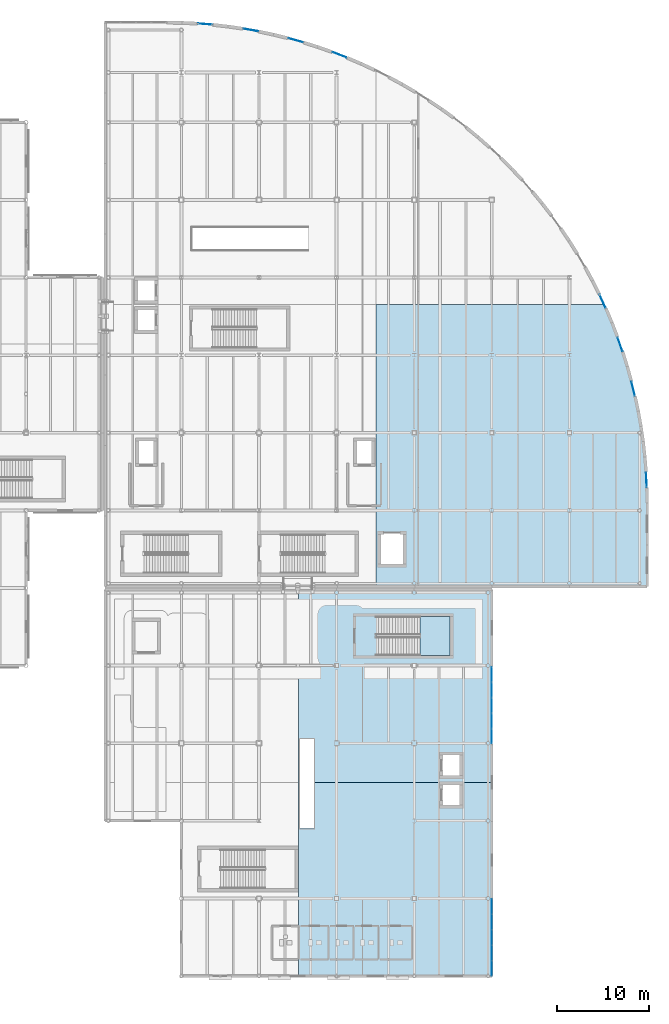
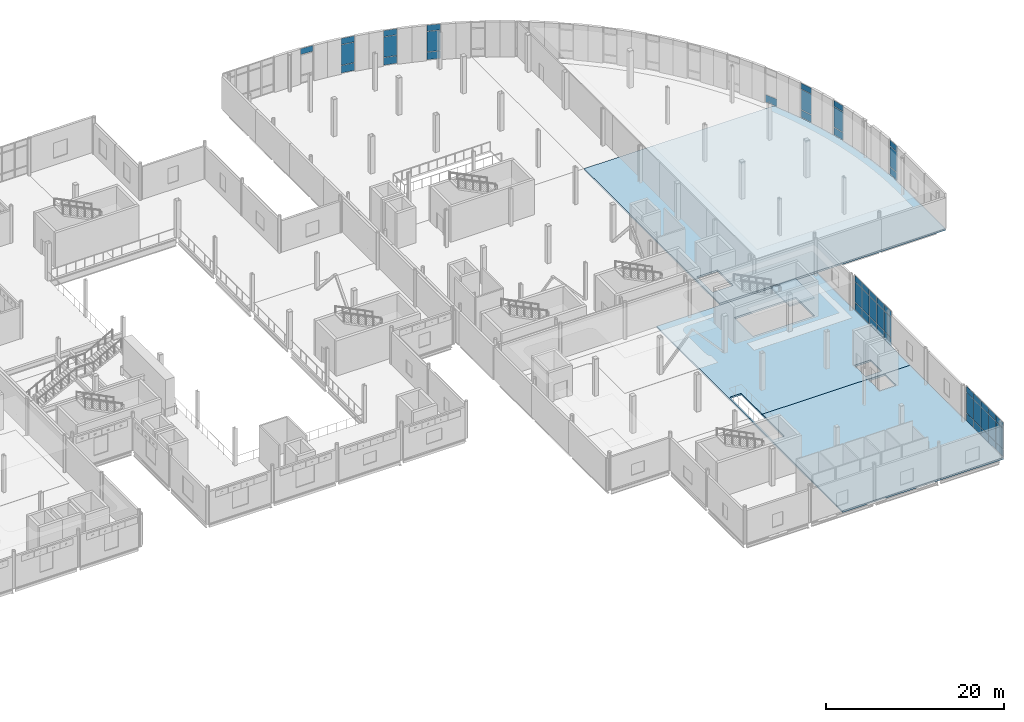
# One storey, part 63 of 104: 50 plates, 4 slabs, 11 elements without a shape of their own.
"""IFC4 building model written with IfcOpenShell, lengths in metres."""

from ifc_helpers import new_model, si_unit, direction, frame, origin, origin_2d, place, context, subcontext, project, spatial, polyline, rectangle, outline, extrude, material, layer, layer_set, type_object, element, aggregate, save


model = new_model("IFC4")

# Units and contexts
model_context = context("Model", 3, precision=1e-05, world=origin(), true_north=direction((0.0, 1.0)))
body_context = subcontext(model_context, "Body", "Model", "MODEL_VIEW")
ifc_project = project(units=[si_unit("LENGTHUNIT", "METRE"), si_unit("AREAUNIT", "SQUARE_METRE"), si_unit("VOLUMEUNIT", "CUBIC_METRE"), si_unit("PLANEANGLEUNIT", "RADIAN"), si_unit("MASSUNIT", "GRAM", prefix="KILO"), si_unit("THERMODYNAMICTEMPERATUREUNIT", "KELVIN")], contexts=[model_context])

# Site, building, storey
site_placement = place(None, origin())
site = spatial("IfcSite", under=ifc_project, at=site_placement, CompositionType="ELEMENT")
building_placement = place(site_placement, origin())
building = spatial("IfcBuilding", under=site, at=building_placement, Name="Lustrewick Department Store", CompositionType="ELEMENT")
storey_placement = place(building_placement, frame((0.0, 0.0, 11.39990234375)))
storey = spatial("IfcBuildingStorey", under=building, at=storey_placement, Name="L03", CompositionType="ELEMENT", Elevation=11.39990234375)

# Curtain wall, plates
ifc_material_1 = material(Name="Thermally broken aluminium 6063-T5", Category="aluminium")
ifc_layer_1 = layer(ifc_material_1, 0.179931640625, Name="Thermally broken aluminium 6063-T5")
ifc_layer_set_1 = layer_set([ifc_layer_1], Name="Thermally broken aluminium 6063-T5")
curtain_wall_type_1 = type_object("IfcCurtainWallType", Name="CW11", PredefinedType="NOTDEFINED", material=ifc_layer_set_1)
curtain_wall_1_placement = place(storey_placement, origin())
curtain_wall_1 = element("IfcCurtainWall", 1, at=curtain_wall_1_placement, inside=storey, type_object=curtain_wall_type_1, Name="L03 V4 Curtain Wall CW11", PredefinedType="NOTDEFINED")
ifc_material_2 = material(Name="Low-E laminated safety glass", Category="glass")
ifc_layer_2 = layer(ifc_material_2, 0.02392578125, Name="Low-E laminated safety glass")
ifc_layer_set_2 = layer_set([ifc_layer_2], Name="Low-E laminated safety glass")
plate_type_1 = type_object("IfcPlateType", Name="CP01", PredefinedType="CURTAIN_PANEL", material=ifc_layer_set_2)
plate_1_placement = place(storey_placement, frame((167.933349609375, 62.09912109375, 0.065185546875), z_axis=(0.0, 0.0, 1.0), x_axis=(-0.048052534093, 0.998844809751, 0.0)))
plate_1 = element("IfcPlate", 2, at=plate_1_placement, type_object=plate_type_1, Name="CW11 panel 1.1", PredefinedType="CURTAIN_PANEL", context=body_context, shape_type="SweptSolid", body=[
    extrude(rectangle(XDim=1.536865234375, YDim=0.02392578125, at=origin_2d()), origin(), (0.0, 0.0, 1.0), 1.00244140625),
])
plate_2_placement = place(storey_placement, frame((167.933349609375, 62.09912109375, 1.1328125), z_axis=(0.0, 0.0, 1.0), x_axis=(-0.048052534093, 0.998844809751, 0.0)))
plate_2 = element("IfcPlate", 3, at=plate_2_placement, type_object=plate_type_1, Name="CW11 panel 1.2", PredefinedType="CURTAIN_PANEL", context=body_context, shape_type="SweptSolid", body=[
    extrude(rectangle(XDim=1.536865234375, YDim=0.02392578125, at=origin_2d()), origin(), (0.0, 0.0, 1.0), 2.780029296875),
])
plate_3_placement = place(storey_placement, frame((167.933349609375, 62.09912109375, 3.9775390625), z_axis=(0.0, 0.0, 1.0), x_axis=(-0.048052534093, 0.998844809751, 0.0)))
plate_3 = element("IfcPlate", 4, at=plate_3_placement, type_object=plate_type_1, Name="CW11 panel 1.3", PredefinedType="CURTAIN_PANEL", context=body_context, shape_type="SweptSolid", body=[
    extrude(rectangle(XDim=1.536865234375, YDim=0.02392578125, at=origin_2d()), origin(), (0.0, 0.0, 1.0), 0.802490234375),
])
aggregate(curtain_wall_1, [plate_1, plate_2, plate_3])

ifc_layer_3 = layer(ifc_material_1, 0.169921875, Name="Thermally broken aluminium 6063-T5")
ifc_layer_set_3 = layer_set([ifc_layer_3], Name="Thermally broken aluminium 6063-T5")
curtain_wall_type_2 = type_object("IfcCurtainWallType", Name="CW12", PredefinedType="NOTDEFINED", material=ifc_layer_set_3)
curtain_wall_2_placement = place(storey_placement, origin())
curtain_wall_2 = element("IfcCurtainWall", 5, at=curtain_wall_2_placement, inside=storey, type_object=curtain_wall_type_2, Name="L03 V4 Curtain Wall CW12", PredefinedType="NOTDEFINED")
ifc_layer_4 = layer(ifc_material_2, 0.02587890625, Name="Low-E laminated safety glass")
ifc_layer_set_4 = layer_set([ifc_layer_4], Name="Low-E laminated safety glass")
plate_type_2 = type_object("IfcPlateType", Name="CP02", PredefinedType="CURTAIN_PANEL", material=ifc_layer_set_4)
plate_4_placement = place(storey_placement, frame((166.497802734375, 71.98046875, 0.065185546875), z_axis=(0.0, 0.0, 1.0), x_axis=(-0.238171345478, 0.971223151595, 0.0)))
plate_4 = element("IfcPlate", 6, at=plate_4_placement, type_object=plate_type_2, Name="CW12 panel 1.1", PredefinedType="CURTAIN_PANEL", context=body_context, shape_type="SweptSolid", body=[
    extrude(rectangle(XDim=1.536865234375, YDim=0.02587890625, at=origin_2d()), origin(), (0.0, 0.0, 1.0), 1.00244140625),
])
plate_5_placement = place(storey_placement, frame((166.497802734375, 71.98046875, 1.1328125), z_axis=(0.0, 0.0, 1.0), x_axis=(-0.238171345478, 0.971223151595, 0.0)))
plate_5 = element("IfcPlate", 7, at=plate_5_placement, type_object=plate_type_2, Name="CW12 panel 1.2", PredefinedType="CURTAIN_PANEL", context=body_context, shape_type="SweptSolid", body=[
    extrude(rectangle(XDim=1.536865234375, YDim=0.02587890625, at=origin_2d()), origin(), (0.0, 0.0, 1.0), 2.780029296875),
])
plate_6_placement = place(storey_placement, frame((166.497802734375, 71.98046875, 3.9775390625), z_axis=(0.0, 0.0, 1.0), x_axis=(-0.238171345478, 0.971223151595, 0.0)))
plate_6 = element("IfcPlate", 8, at=plate_6_placement, type_object=plate_type_2, Name="CW12 panel 1.3", PredefinedType="CURTAIN_PANEL", context=body_context, shape_type="SweptSolid", body=[
    extrude(rectangle(XDim=1.536865234375, YDim=0.02587890625, at=origin_2d()), origin(), (0.0, 0.0, 1.0), 0.802490234375),
])
aggregate(curtain_wall_2, [plate_4, plate_5, plate_6])

ifc_layer_5 = layer(ifc_material_1, 0.1298828125, Name="Thermally broken aluminium 6063-T5")
ifc_layer_set_5 = layer_set([ifc_layer_5], Name="Thermally broken aluminium 6063-T5")
curtain_wall_type_3 = type_object("IfcCurtainWallType", Name="CW07", PredefinedType="NOTDEFINED", material=ifc_layer_set_5)
curtain_wall_3_placement = place(storey_placement, origin())
curtain_wall_3 = element("IfcCurtainWall", 9, at=curtain_wall_3_placement, inside=storey, type_object=curtain_wall_type_3, Name="L03 V4 Curtain Wall CW07", PredefinedType="NOTDEFINED")
plate_7_placement = place(storey_placement, frame((134.736328125, 108.10009765625, 0.05517578125), z_axis=(0.0, 0.0, 1.0), x_axis=(-0.932809593004, 0.360369620251, 0.0)))
plate_7 = element("IfcPlate", 10, at=plate_7_placement, type_object=plate_type_2, Name="CW07 panel 1.1", PredefinedType="CURTAIN_PANEL", context=body_context, shape_type="SweptSolid", body=[
    extrude(rectangle(XDim=1.556884765625, YDim=0.02587890625, at=origin_2d()), origin(), (0.0, 0.0, 1.0), 1.017578125),
])
plate_8_placement = place(storey_placement, frame((134.736328125, 108.10009765625, 1.127685546875), z_axis=(0.0, 0.0, 1.0), x_axis=(-0.932809593004, 0.360369620251, 0.0)))
plate_8 = element("IfcPlate", 11, at=plate_8_placement, type_object=plate_type_2, Name="CW07 panel 1.2", PredefinedType="CURTAIN_PANEL", context=body_context, shape_type="SweptSolid", body=[
    extrude(rectangle(XDim=1.556884765625, YDim=0.02587890625, at=origin_2d()), origin(), (0.0, 0.0, 1.0), 2.7900390625),
])
plate_9_placement = place(storey_placement, frame((134.736328125, 108.10009765625, 3.97265625), z_axis=(0.0, 0.0, 1.0), x_axis=(-0.932809593004, 0.360369620251, 0.0)))
plate_9 = element("IfcPlate", 12, at=plate_9_placement, type_object=plate_type_2, Name="CW07 panel 1.3", PredefinedType="CURTAIN_PANEL", context=body_context, shape_type="SweptSolid", body=[
    extrude(rectangle(XDim=1.556884765625, YDim=0.02587890625, at=origin_2d()), origin(), (0.0, 0.0, 1.0), 0.8173828125),
])
aggregate(curtain_wall_3, [plate_7, plate_8, plate_9])

ifc_layer_6 = layer(ifc_material_1, 0.159912109375, Name="Thermally broken aluminium 6063-T5")
ifc_layer_set_6 = layer_set([ifc_layer_6], Name="Thermally broken aluminium 6063-T5")
curtain_wall_type_4 = type_object("IfcCurtainWallType", Name="CW13", PredefinedType="NOTDEFINED", material=ifc_layer_set_6)
curtain_wall_4_placement = place(storey_placement, origin())
curtain_wall_4 = element("IfcCurtainWall", 13, at=curtain_wall_4_placement, inside=storey, type_object=curtain_wall_type_4, Name="L03 V4 Curtain Wall CW13", PredefinedType="NOTDEFINED")
ifc_layer_7 = layer(ifc_material_2, 0.028076171875, Name="Low-E laminated safety glass")
ifc_layer_set_7 = layer_set([ifc_layer_7], Name="Low-E laminated safety glass")
plate_type_3 = type_object("IfcPlateType", Name="CP03", PredefinedType="CURTAIN_PANEL", material=ifc_layer_set_7)
plate_10_placement = place(storey_placement, frame((165.07568359375, 76.772216796875, 0.06005859375), z_axis=(0.0, 0.0, 1.0), x_axis=(-0.330248879516, 0.943893891059, 0.0)))
plate_10 = element("IfcPlate", 14, at=plate_10_placement, type_object=plate_type_3, Name="CW13 panel 1.1", PredefinedType="CURTAIN_PANEL", context=body_context, shape_type="SweptSolid", body=[
    extrude(rectangle(XDim=1.546875, YDim=0.028076171875, at=origin_2d()), origin(), (0.0, 0.0, 1.0), 1.010009765625),
])
plate_11_placement = place(storey_placement, frame((165.07568359375, 76.772216796875, 1.13037109375), z_axis=(0.0, 0.0, 1.0), x_axis=(-0.330248879516, 0.943893891059, 0.0)))
plate_11 = element("IfcPlate", 15, at=plate_11_placement, type_object=plate_type_3, Name="CW13 panel 1.2", PredefinedType="CURTAIN_PANEL", context=body_context, shape_type="SweptSolid", body=[
    extrude(rectangle(XDim=1.546875, YDim=0.028076171875, at=origin_2d()), origin(), (0.0, 0.0, 1.0), 2.784912109375),
])
plate_12_placement = place(storey_placement, frame((165.07568359375, 76.772216796875, 3.97509765625), z_axis=(0.0, 0.0, 1.0), x_axis=(-0.330248879516, 0.943893891059, 0.0)))
plate_12 = element("IfcPlate", 16, at=plate_12_placement, type_object=plate_type_3, Name="CW13 panel 1.3", PredefinedType="CURTAIN_PANEL", context=body_context, shape_type="SweptSolid", body=[
    extrude(rectangle(XDim=1.546875, YDim=0.028076171875, at=origin_2d()), origin(), (0.0, 0.0, 1.0), 0.81005859375),
])
aggregate(curtain_wall_4, [plate_10, plate_11, plate_12])

ifc_layer_8 = layer(ifc_material_1, 0.1201171875, Name="Thermally broken aluminium 6063-T5")
ifc_layer_set_8 = layer_set([ifc_layer_8], Name="Thermally broken aluminium 6063-T5")
curtain_wall_type_5 = type_object("IfcCurtainWallType", Name="CW08", PredefinedType="NOTDEFINED", material=ifc_layer_set_8)
curtain_wall_5_placement = place(storey_placement, origin())
curtain_wall_5 = element("IfcCurtainWall", 17, at=curtain_wall_5_placement, inside=storey, type_object=curtain_wall_type_5, Name="L03 V4 Curtain Wall CW08", PredefinedType="NOTDEFINED")
plate_13_placement = place(storey_placement, frame((129.99267578125, 109.675048828125, 0.050048828125), z_axis=(0.0, 0.0, 1.0), x_axis=(-0.963105943443, 0.269122540313, 0.0)))
plate_13 = element("IfcPlate", 18, at=plate_13_placement, type_object=plate_type_3, Name="CW08 panel 1.1", PredefinedType="CURTAIN_PANEL", context=body_context, shape_type="SweptSolid", body=[
    extrude(rectangle(XDim=1.56689453125, YDim=0.028076171875, at=origin_2d()), origin(), (0.0, 0.0, 1.0), 1.02490234375),
])
plate_14_placement = place(storey_placement, frame((129.99267578125, 109.675048828125, 1.125244140625), z_axis=(0.0, 0.0, 1.0), x_axis=(-0.963105943443, 0.269122540313, 0.0)))
plate_14 = element("IfcPlate", 19, at=plate_14_placement, type_object=plate_type_3, Name="CW08 panel 1.2", PredefinedType="CURTAIN_PANEL", context=body_context, shape_type="SweptSolid", body=[
    extrude(rectangle(XDim=1.56689453125, YDim=0.028076171875, at=origin_2d()), origin(), (0.0, 0.0, 1.0), 2.794921875),
])
plate_15_placement = place(storey_placement, frame((129.99267578125, 109.675048828125, 3.97021484375), z_axis=(0.0, 0.0, 1.0), x_axis=(-0.963105943443, 0.269122540313, 0.0)))
plate_15 = element("IfcPlate", 20, at=plate_15_placement, type_object=plate_type_3, Name="CW08 panel 1.3", PredefinedType="CURTAIN_PANEL", context=body_context, shape_type="SweptSolid", body=[
    extrude(rectangle(XDim=1.56689453125, YDim=0.028076171875, at=origin_2d()), origin(), (0.0, 0.0, 1.0), 0.824951171875),
])
aggregate(curtain_wall_5, [plate_13, plate_14, plate_15])

ifc_layer_9 = layer(ifc_material_1, 0.110107421875, Name="Thermally broken aluminium 6063-T5")
ifc_layer_set_9 = layer_set([ifc_layer_9], Name="Thermally broken aluminium 6063-T5")
curtain_wall_type_6 = type_object("IfcCurtainWallType", Name="CW09", PredefinedType="NOTDEFINED", material=ifc_layer_set_9)
curtain_wall_6_placement = place(storey_placement, origin())
curtain_wall_6 = element("IfcCurtainWall", 21, at=curtain_wall_6_placement, inside=storey, type_object=curtain_wall_type_6, Name="L03 V3 Curtain Wall CW09", PredefinedType="NOTDEFINED")
ifc_material_3 = material(Name="Tinted ceramic spandrel safety glass", Category="glass")
ifc_layer_10 = layer(ifc_material_3, 0.030029296875, Name="Tinted ceramic spandrel safety glass")
ifc_layer_set_10 = layer_set([ifc_layer_10], Name="Tinted ceramic spandrel safety glass")
plate_type_4 = type_object("IfcPlateType", Name="CP04", PredefinedType="CURTAIN_PANEL", material=ifc_layer_set_10)
plate_16_placement = place(storey_placement, frame((151.199951171875, 9.24951171875, 0.050048828125), z_axis=(0.0, 0.0, 1.0), x_axis=(0.0, 1.0, 0.0)))
plate_16 = element("IfcPlate", 22, at=plate_16_placement, type_object=plate_type_4, Name="CW09 panel 1.1", PredefinedType="CURTAIN_PANEL", context=body_context, shape_type="SweptSolid", body=[
    extrude(rectangle(XDim=1.59912109375, YDim=0.030029296875, at=origin_2d()), origin(), (0.0, 0.0, 1.0), 1.02490234375),
])
plate_17_placement = place(storey_placement, frame((151.199951171875, 9.24951171875, 1.125244140625), z_axis=(0.0, 0.0, 1.0), x_axis=(0.0, 1.0, 0.0)))
plate_17 = element("IfcPlate", 23, at=plate_17_placement, type_object=plate_type_4, Name="CW09 panel 1.2", PredefinedType="CURTAIN_PANEL", context=body_context, shape_type="SweptSolid", body=[
    extrude(rectangle(XDim=1.59912109375, YDim=0.030029296875, at=origin_2d()), origin(), (0.0, 0.0, 1.0), 2.794921875),
])
plate_18_placement = place(storey_placement, frame((151.199951171875, 9.24951171875, 3.97021484375), z_axis=(0.0, 0.0, 1.0), x_axis=(0.0, 1.0, 0.0)))
plate_18 = element("IfcPlate", 24, at=plate_18_placement, type_object=plate_type_4, Name="CW09 panel 1.3", PredefinedType="CURTAIN_PANEL", context=body_context, shape_type="SweptSolid", body=[
    extrude(rectangle(XDim=1.59912109375, YDim=0.030029296875, at=origin_2d()), origin(), (0.0, 0.0, 1.0), 0.824951171875),
])
plate_19_placement = place(storey_placement, frame((151.199951171875, 10.910888671875, 0.050048828125), z_axis=(0.0, 0.0, 1.0), x_axis=(0.0, 1.0, 0.0)))
plate_19 = element("IfcPlate", 25, at=plate_19_placement, type_object=plate_type_4, Name="CW09 panel 2.1", PredefinedType="CURTAIN_PANEL", context=body_context, shape_type="SweptSolid", body=[
    extrude(rectangle(XDim=1.6240234375, YDim=0.030029296875, at=origin_2d()), origin(), (0.0, 0.0, 1.0), 1.02490234375),
])
plate_20_placement = place(storey_placement, frame((151.199951171875, 10.910888671875, 1.125244140625), z_axis=(0.0, 0.0, 1.0), x_axis=(0.0, 1.0, 0.0)))
plate_20 = element("IfcPlate", 26, at=plate_20_placement, type_object=plate_type_4, Name="CW09 panel 2.2", PredefinedType="CURTAIN_PANEL", context=body_context, shape_type="SweptSolid", body=[
    extrude(rectangle(XDim=1.6240234375, YDim=0.030029296875, at=origin_2d()), origin(), (0.0, 0.0, 1.0), 2.794921875),
])
plate_21_placement = place(storey_placement, frame((151.199951171875, 10.910888671875, 3.97021484375), z_axis=(0.0, 0.0, 1.0), x_axis=(0.0, 1.0, 0.0)))
plate_21 = element("IfcPlate", 27, at=plate_21_placement, type_object=plate_type_4, Name="CW09 panel 2.3", PredefinedType="CURTAIN_PANEL", context=body_context, shape_type="SweptSolid", body=[
    extrude(rectangle(XDim=1.6240234375, YDim=0.030029296875, at=origin_2d()), origin(), (0.0, 0.0, 1.0), 0.824951171875),
])
plate_22_placement = place(storey_placement, frame((151.199951171875, 12.5849609375, 0.050048828125), z_axis=(0.0, 0.0, 1.0), x_axis=(0.0, 1.0, 0.0)))
plate_22 = element("IfcPlate", 28, at=plate_22_placement, type_object=plate_type_4, Name="CW09 panel 3.1", PredefinedType="CURTAIN_PANEL", context=body_context, shape_type="SweptSolid", body=[
    extrude(rectangle(XDim=1.6240234375, YDim=0.030029296875, at=origin_2d()), origin(), (0.0, 0.0, 1.0), 1.02490234375),
])
plate_23_placement = place(storey_placement, frame((151.199951171875, 12.5849609375, 1.125244140625), z_axis=(0.0, 0.0, 1.0), x_axis=(0.0, 1.0, 0.0)))
plate_23 = element("IfcPlate", 29, at=plate_23_placement, type_object=plate_type_4, Name="CW09 panel 3.2", PredefinedType="CURTAIN_PANEL", context=body_context, shape_type="SweptSolid", body=[
    extrude(rectangle(XDim=1.6240234375, YDim=0.030029296875, at=origin_2d()), origin(), (0.0, 0.0, 1.0), 2.794921875),
])
plate_24_placement = place(storey_placement, frame((151.199951171875, 12.5849609375, 3.97021484375), z_axis=(0.0, 0.0, 1.0), x_axis=(0.0, 1.0, 0.0)))
plate_24 = element("IfcPlate", 30, at=plate_24_placement, type_object=plate_type_4, Name="CW09 panel 3.3", PredefinedType="CURTAIN_PANEL", context=body_context, shape_type="SweptSolid", body=[
    extrude(rectangle(XDim=1.6240234375, YDim=0.030029296875, at=origin_2d()), origin(), (0.0, 0.0, 1.0), 0.824951171875),
])
plate_25_placement = place(storey_placement, frame((151.199951171875, 14.259033203125, 0.050048828125), z_axis=(0.0, 0.0, 1.0), x_axis=(0.0, 1.0, 0.0)))
plate_25 = element("IfcPlate", 31, at=plate_25_placement, type_object=plate_type_4, Name="CW09 panel 4.1", PredefinedType="CURTAIN_PANEL", context=body_context, shape_type="SweptSolid", body=[
    extrude(rectangle(XDim=1.6240234375, YDim=0.030029296875, at=origin_2d()), origin(), (0.0, 0.0, 1.0), 1.02490234375),
])
plate_26_placement = place(storey_placement, frame((151.199951171875, 14.259033203125, 1.125244140625), z_axis=(0.0, 0.0, 1.0), x_axis=(0.0, 1.0, 0.0)))
plate_26 = element("IfcPlate", 32, at=plate_26_placement, type_object=plate_type_4, Name="CW09 panel 4.2", PredefinedType="CURTAIN_PANEL", context=body_context, shape_type="SweptSolid", body=[
    extrude(rectangle(XDim=1.6240234375, YDim=0.030029296875, at=origin_2d()), origin(), (0.0, 0.0, 1.0), 2.794921875),
])
plate_27_placement = place(storey_placement, frame((151.199951171875, 14.259033203125, 3.97021484375), z_axis=(0.0, 0.0, 1.0), x_axis=(0.0, 1.0, 0.0)))
plate_27 = element("IfcPlate", 33, at=plate_27_placement, type_object=plate_type_4, Name="CW09 panel 4.3", PredefinedType="CURTAIN_PANEL", context=body_context, shape_type="SweptSolid", body=[
    extrude(rectangle(XDim=1.6240234375, YDim=0.030029296875, at=origin_2d()), origin(), (0.0, 0.0, 1.0), 0.824951171875),
])
plate_28_placement = place(storey_placement, frame((151.199951171875, 15.92041015625, 0.050048828125), z_axis=(0.0, 0.0, 1.0), x_axis=(0.0, 1.0, 0.0)))
plate_28 = element("IfcPlate", 34, at=plate_28_placement, type_object=plate_type_4, Name="CW09 panel 5.1", PredefinedType="CURTAIN_PANEL", context=body_context, shape_type="SweptSolid", body=[
    extrude(rectangle(XDim=1.59912109375, YDim=0.030029296875, at=origin_2d()), origin(), (0.0, 0.0, 1.0), 1.02490234375),
])
plate_29_placement = place(storey_placement, frame((151.199951171875, 15.92041015625, 1.125244140625), z_axis=(0.0, 0.0, 1.0), x_axis=(0.0, 1.0, 0.0)))
plate_29 = element("IfcPlate", 35, at=plate_29_placement, type_object=plate_type_4, Name="CW09 panel 5.2", PredefinedType="CURTAIN_PANEL", context=body_context, shape_type="SweptSolid", body=[
    extrude(rectangle(XDim=1.59912109375, YDim=0.030029296875, at=origin_2d()), origin(), (0.0, 0.0, 1.0), 2.794921875),
])
plate_30_placement = place(storey_placement, frame((151.199951171875, 15.92041015625, 3.97021484375), z_axis=(0.0, 0.0, 1.0), x_axis=(0.0, 1.0, 0.0)))
plate_30 = element("IfcPlate", 36, at=plate_30_placement, type_object=plate_type_4, Name="CW09 panel 5.3", PredefinedType="CURTAIN_PANEL", context=body_context, shape_type="SweptSolid", body=[
    extrude(rectangle(XDim=1.59912109375, YDim=0.030029296875, at=origin_2d()), origin(), (0.0, 0.0, 1.0), 0.824951171875),
])
aggregate(curtain_wall_6, [plate_16, plate_17, plate_18, plate_19, plate_20, plate_21, plate_22, plate_23, plate_24, plate_25, plate_26, plate_27, plate_28, plate_29, plate_30])

# Curtain wall, plate
ifc_layer_11 = layer(ifc_material_1, 0.14990234375, Name="Thermally broken aluminium 6063-T5")
ifc_layer_set_11 = layer_set([ifc_layer_11], Name="Thermally broken aluminium 6063-T5")
curtain_wall_type_7 = type_object("IfcCurtainWallType", Name="CW14", PredefinedType="NOTDEFINED", material=ifc_layer_set_11)
curtain_wall_7_placement = place(storey_placement, origin())
curtain_wall_7 = element("IfcCurtainWall", 37, at=curtain_wall_7_placement, inside=storey, type_object=curtain_wall_type_7, Name="L03 V4 Curtain Wall CW14", PredefinedType="NOTDEFINED")
plate_31_placement = place(storey_placement, frame((163.199951171875, 81.4052734375, 0.06005859375), z_axis=(0.0, 0.0, 1.0), x_axis=(-0.419381504995, 0.907810086565, 0.0)))
plate_31 = element("IfcPlate", 38, at=plate_31_placement, type_object=plate_type_4, Name="CW14 panel 1.1", PredefinedType="CURTAIN_PANEL", context=body_context, shape_type="SweptSolid", body=[
    extrude(rectangle(XDim=1.546875, YDim=0.030029296875, at=origin_2d()), origin(), (0.0, 0.0, 1.0), 1.010009765625),
])
aggregate(curtain_wall_7, [plate_31])

# Curtain wall, plates
curtain_wall_8_placement = place(storey_placement, origin())
curtain_wall_8 = element("IfcCurtainWall", 39, at=curtain_wall_8_placement, inside=storey, type_object=curtain_wall_type_6, Name="L03 V4 Curtain Wall CW09", PredefinedType="NOTDEFINED")
plate_32_placement = place(storey_placement, frame((125.11962890625, 110.787353515625, 0.050048828125), z_axis=(0.0, 0.0, 1.0), x_axis=(-0.984493506403, 0.175421024539, 0.0)))
plate_32 = element("IfcPlate", 40, at=plate_32_placement, type_object=plate_type_4, Name="CW09 panel 1.1", PredefinedType="CURTAIN_PANEL", context=body_context, shape_type="SweptSolid", body=[
    extrude(rectangle(XDim=1.56689453125, YDim=0.030029296875, at=origin_2d()), origin(), (0.0, 0.0, 1.0), 1.02490234375),
])
plate_33_placement = place(storey_placement, frame((125.11962890625, 110.787353515625, 1.125244140625), z_axis=(0.0, 0.0, 1.0), x_axis=(-0.984493506403, 0.175421024539, 0.0)))
plate_33 = element("IfcPlate", 41, at=plate_33_placement, type_object=plate_type_4, Name="CW09 panel 1.2", PredefinedType="CURTAIN_PANEL", context=body_context, shape_type="SweptSolid", body=[
    extrude(rectangle(XDim=1.56689453125, YDim=0.030029296875, at=origin_2d()), origin(), (0.0, 0.0, 1.0), 2.794921875),
])
plate_34_placement = place(storey_placement, frame((125.11962890625, 110.787353515625, 3.97021484375), z_axis=(0.0, 0.0, 1.0), x_axis=(-0.984493506403, 0.175421024539, 0.0)))
plate_34 = element("IfcPlate", 42, at=plate_34_placement, type_object=plate_type_4, Name="CW09 panel 1.3", PredefinedType="CURTAIN_PANEL", context=body_context, shape_type="SweptSolid", body=[
    extrude(rectangle(XDim=1.56689453125, YDim=0.030029296875, at=origin_2d()), origin(), (0.0, 0.0, 1.0), 0.824951171875),
])
aggregate(curtain_wall_8, [plate_32, plate_33, plate_34])

ifc_layer_12 = layer(ifc_material_1, 0.199951171875, Name="Thermally broken aluminium 6063-T5")
ifc_layer_set_12 = layer_set([ifc_layer_12], Name="Thermally broken aluminium 6063-T5")
curtain_wall_type_8 = type_object("IfcCurtainWallType", Name="CW10", PredefinedType="NOTDEFINED", material=ifc_layer_set_12)
curtain_wall_9_placement = place(storey_placement, origin())
curtain_wall_9 = element("IfcCurtainWall", 43, at=curtain_wall_9_placement, inside=storey, type_object=curtain_wall_type_8, Name="L03 V3 Curtain Wall CW10", PredefinedType="NOTDEFINED")
ifc_material_4 = material(Name="Low-E triple laminated safety glass", Category="glass")
ifc_layer_13 = layer(ifc_material_4, 0.031982421875, Name="Low-E triple laminated safety glass")
ifc_layer_set_13 = layer_set([ifc_layer_13], Name="Low-E triple laminated safety glass")
plate_type_5 = type_object("IfcPlateType", Name="CP05", PredefinedType="CURTAIN_PANEL", material=ifc_layer_set_13)
plate_35_placement = place(storey_placement, frame((151.199951171875, 34.364501953125, 0.070068359375), z_axis=(0.0, 0.0, 1.0), x_axis=(0.0, 1.0, 0.0)))
plate_35 = element("IfcPlate", 44, at=plate_35_placement, type_object=plate_type_5, Name="CW10 panel 1.1", PredefinedType="CURTAIN_PANEL", context=body_context, shape_type="SweptSolid", body=[
    extrude(rectangle(XDim=1.569091796875, YDim=0.031982421875, at=origin_2d()), origin(), (0.0, 0.0, 1.0), 0.9951171875),
])
plate_36_placement = place(storey_placement, frame((151.199951171875, 34.364501953125, 1.13525390625), z_axis=(0.0, 0.0, 1.0), x_axis=(0.0, 1.0, 0.0)))
plate_36 = element("IfcPlate", 45, at=plate_36_placement, type_object=plate_type_5, Name="CW10 panel 1.2", PredefinedType="CURTAIN_PANEL", context=body_context, shape_type="SweptSolid", body=[
    extrude(rectangle(XDim=1.569091796875, YDim=0.031982421875, at=origin_2d()), origin(), (0.0, 0.0, 1.0), 2.77490234375),
])
plate_37_placement = place(storey_placement, frame((151.199951171875, 34.364501953125, 3.980224609375), z_axis=(0.0, 0.0, 1.0), x_axis=(0.0, 1.0, 0.0)))
plate_37 = element("IfcPlate", 46, at=plate_37_placement, type_object=plate_type_5, Name="CW10 panel 1.3", PredefinedType="CURTAIN_PANEL", context=body_context, shape_type="SweptSolid", body=[
    extrude(rectangle(XDim=1.569091796875, YDim=0.031982421875, at=origin_2d()), origin(), (0.0, 0.0, 1.0), 0.794921875),
])
plate_38_placement = place(storey_placement, frame((151.199951171875, 36.02099609375, 0.070068359375), z_axis=(0.0, 0.0, 1.0), x_axis=(0.0, 1.0, 0.0)))
plate_38 = element("IfcPlate", 47, at=plate_38_placement, type_object=plate_type_5, Name="CW10 panel 2.1", PredefinedType="CURTAIN_PANEL", context=body_context, shape_type="SweptSolid", body=[
    extrude(rectangle(XDim=1.60400390625, YDim=0.031982421875, at=origin_2d()), origin(), (0.0, 0.0, 1.0), 0.9951171875),
])
plate_39_placement = place(storey_placement, frame((151.199951171875, 36.02099609375, 1.13525390625), z_axis=(0.0, 0.0, 1.0), x_axis=(0.0, 1.0, 0.0)))
plate_39 = element("IfcPlate", 48, at=plate_39_placement, type_object=plate_type_5, Name="CW10 panel 2.2", PredefinedType="CURTAIN_PANEL", context=body_context, shape_type="SweptSolid", body=[
    extrude(rectangle(XDim=1.60400390625, YDim=0.031982421875, at=origin_2d()), origin(), (0.0, 0.0, 1.0), 2.77490234375),
])
plate_40_placement = place(storey_placement, frame((151.199951171875, 36.02099609375, 3.980224609375), z_axis=(0.0, 0.0, 1.0), x_axis=(0.0, 1.0, 0.0)))
plate_40 = element("IfcPlate", 49, at=plate_40_placement, type_object=plate_type_5, Name="CW10 panel 2.3", PredefinedType="CURTAIN_PANEL", context=body_context, shape_type="SweptSolid", body=[
    extrude(rectangle(XDim=1.60400390625, YDim=0.031982421875, at=origin_2d()), origin(), (0.0, 0.0, 1.0), 0.794921875),
])
plate_41_placement = place(storey_placement, frame((151.199951171875, 37.695068359375, 0.070068359375), z_axis=(0.0, 0.0, 1.0), x_axis=(0.0, 1.0, 0.0)))
plate_41 = element("IfcPlate", 50, at=plate_41_placement, type_object=plate_type_5, Name="CW10 panel 3.1", PredefinedType="CURTAIN_PANEL", context=body_context, shape_type="SweptSolid", body=[
    extrude(rectangle(XDim=1.60400390625, YDim=0.031982421875, at=origin_2d()), origin(), (0.0, 0.0, 1.0), 0.9951171875),
])
plate_42_placement = place(storey_placement, frame((151.199951171875, 37.695068359375, 1.13525390625), z_axis=(0.0, 0.0, 1.0), x_axis=(0.0, 1.0, 0.0)))
plate_42 = element("IfcPlate", 51, at=plate_42_placement, type_object=plate_type_5, Name="CW10 panel 3.2", PredefinedType="CURTAIN_PANEL", context=body_context, shape_type="SweptSolid", body=[
    extrude(rectangle(XDim=1.60400390625, YDim=0.031982421875, at=origin_2d()), origin(), (0.0, 0.0, 1.0), 2.77490234375),
])
plate_43_placement = place(storey_placement, frame((151.199951171875, 37.695068359375, 3.980224609375), z_axis=(0.0, 0.0, 1.0), x_axis=(0.0, 1.0, 0.0)))
plate_43 = element("IfcPlate", 52, at=plate_43_placement, type_object=plate_type_5, Name="CW10 panel 3.3", PredefinedType="CURTAIN_PANEL", context=body_context, shape_type="SweptSolid", body=[
    extrude(rectangle(XDim=1.60400390625, YDim=0.031982421875, at=origin_2d()), origin(), (0.0, 0.0, 1.0), 0.794921875),
])
plate_44_placement = place(storey_placement, frame((151.199951171875, 39.368896484375, 0.070068359375), z_axis=(0.0, 0.0, 1.0), x_axis=(0.0, 1.0, 0.0)))
plate_44 = element("IfcPlate", 53, at=plate_44_placement, type_object=plate_type_5, Name="CW10 panel 4.1", PredefinedType="CURTAIN_PANEL", context=body_context, shape_type="SweptSolid", body=[
    extrude(rectangle(XDim=1.60400390625, YDim=0.031982421875, at=origin_2d()), origin(), (0.0, 0.0, 1.0), 0.9951171875),
])
plate_45_placement = place(storey_placement, frame((151.199951171875, 39.368896484375, 1.13525390625), z_axis=(0.0, 0.0, 1.0), x_axis=(0.0, 1.0, 0.0)))
plate_45 = element("IfcPlate", 54, at=plate_45_placement, type_object=plate_type_5, Name="CW10 panel 4.2", PredefinedType="CURTAIN_PANEL", context=body_context, shape_type="SweptSolid", body=[
    extrude(rectangle(XDim=1.60400390625, YDim=0.031982421875, at=origin_2d()), origin(), (0.0, 0.0, 1.0), 2.77490234375),
])
plate_46_placement = place(storey_placement, frame((151.199951171875, 39.368896484375, 3.980224609375), z_axis=(0.0, 0.0, 1.0), x_axis=(0.0, 1.0, 0.0)))
plate_46 = element("IfcPlate", 55, at=plate_46_placement, type_object=plate_type_5, Name="CW10 panel 4.3", PredefinedType="CURTAIN_PANEL", context=body_context, shape_type="SweptSolid", body=[
    extrude(rectangle(XDim=1.60400390625, YDim=0.031982421875, at=origin_2d()), origin(), (0.0, 0.0, 1.0), 0.794921875),
])
plate_47_placement = place(storey_placement, frame((151.199951171875, 41.025390625, 0.070068359375), z_axis=(0.0, 0.0, 1.0), x_axis=(0.0, 1.0, 0.0)))
plate_47 = element("IfcPlate", 56, at=plate_47_placement, type_object=plate_type_5, Name="CW10 panel 5.1", PredefinedType="CURTAIN_PANEL", context=body_context, shape_type="SweptSolid", body=[
    extrude(rectangle(XDim=1.569091796875, YDim=0.031982421875, at=origin_2d()), origin(), (0.0, 0.0, 1.0), 0.9951171875),
])
plate_48_placement = place(storey_placement, frame((151.199951171875, 41.025390625, 1.13525390625), z_axis=(0.0, 0.0, 1.0), x_axis=(0.0, 1.0, 0.0)))
plate_48 = element("IfcPlate", 57, at=plate_48_placement, type_object=plate_type_5, Name="CW10 panel 5.2", PredefinedType="CURTAIN_PANEL", context=body_context, shape_type="SweptSolid", body=[
    extrude(rectangle(XDim=1.569091796875, YDim=0.031982421875, at=origin_2d()), origin(), (0.0, 0.0, 1.0), 2.77490234375),
])
plate_49_placement = place(storey_placement, frame((151.199951171875, 41.025390625, 3.980224609375), z_axis=(0.0, 0.0, 1.0), x_axis=(0.0, 1.0, 0.0)))
plate_49 = element("IfcPlate", 58, at=plate_49_placement, type_object=plate_type_5, Name="CW10 panel 5.3", PredefinedType="CURTAIN_PANEL", context=body_context, shape_type="SweptSolid", body=[
    extrude(rectangle(XDim=1.569091796875, YDim=0.031982421875, at=origin_2d()), origin(), (0.0, 0.0, 1.0), 0.794921875),
])
aggregate(curtain_wall_9, [plate_35, plate_36, plate_37, plate_38, plate_39, plate_40, plate_41, plate_42, plate_43, plate_44, plate_45, plate_46, plate_47, plate_48, plate_49])

# Curtain wall, plate
curtain_wall_10_placement = place(storey_placement, origin())
curtain_wall_10 = element("IfcCurtainWall", 59, at=curtain_wall_10_placement, inside=storey, type_object=curtain_wall_type_8, Name="L03 V4 Curtain Wall CW10", PredefinedType="NOTDEFINED")
plate_50_placement = place(storey_placement, frame((120.162353515625, 111.426513671875, 3.980224609375), z_axis=(0.0, 0.0, 1.0), x_axis=(-0.996787558737, 0.08009096545, 0.0)))
plate_50 = element("IfcPlate", 60, at=plate_50_placement, type_object=plate_type_5, Name="CW10 panel 1.3", PredefinedType="CURTAIN_PANEL", context=body_context, shape_type="SweptSolid", body=[
    extrude(rectangle(XDim=1.52685546875, YDim=0.031982421875, at=origin_2d()), origin(), (0.0, 0.0, 1.0), 0.794921875),
])
aggregate(curtain_wall_10, [plate_50])

# Slabs
ifc_material_5 = material(Name="Concrete C30", Category="concrete")
ifc_layer_14 = layer(ifc_material_5, 0.239990234375, Name="Concrete C30")
ifc_layer_set_14 = layer_set([ifc_layer_14], Name="Concrete C30")
slab_type_1 = type_object("IfcSlabType", Name="FS03", PredefinedType="FLOOR", material=ifc_layer_set_14)
slab_1_placement = place(storey_placement, frame((0.0, 0.0, -0.239990234375)))
element("IfcSlab", 61, at=slab_1_placement, inside=storey, type_object=slab_type_1, Name="L03 V3 Floor Slab FS03", PredefinedType="FLOOR", context=body_context, shape_type="SweptSolid", body=[
    extrude(outline(polyline([(151.199951171875, 8.39990234375), (151.199951171875, 29.324951171875), (131.949951171875, 29.324951171875), (131.949951171875, 24.35009765625), (130.449951171875, 24.35009765625), (130.449951171875, 29.324951171875), (130.27490234375, 29.324951171875), (130.27490234375, 8.39990234375), (151.199951171875, 8.39990234375)]), holes=[polyline([(145.75, 26.75), (145.75, 29.25), (147.85009765625, 29.25), (147.85009765625, 26.75), (145.75, 26.75)])]), origin(), (0.0, 0.0, 1.0), 0.239990234375),
])
slab_2_placement = place(storey_placement, frame((0.0, 0.0, -0.239990234375)))
element("IfcSlab", 62, at=slab_2_placement, inside=storey, type_object=slab_type_1, Name="L03 V3 Floor Slab FS03", PredefinedType="FLOOR", context=body_context, shape_type="SweptSolid", body=[
    extrude(outline(polyline([(151.199951171875, 29.324951171875), (151.199951171875, 50.25), (130.27490234375, 50.25), (130.27490234375, 29.324951171875), (130.449951171875, 29.324951171875), (130.449951171875, 34.050048828125), (131.949951171875, 34.050048828125), (131.949951171875, 29.324951171875), (151.199951171875, 29.324951171875)]), holes=[polyline([(145.75, 29.949951171875), (145.75, 32.449951171875), (147.85009765625, 32.449951171875), (147.85009765625, 29.949951171875), (145.75, 29.949951171875)]), polyline([(138.719970703125, 43.10009765625), (138.719970703125, 47.300048828125), (146.699951171875, 47.300048828125), (146.699951171875, 43.10009765625), (138.719970703125, 43.10009765625)])]), origin(), (0.0, 0.0, 1.0), 0.239990234375),
])
slab_3_placement = place(storey_placement, frame((0.0, 0.0, -0.239990234375)))
element("IfcSlab", 63, at=slab_3_placement, inside=storey, type_object=slab_type_1, Name="L03 V4 Floor Slab FS03", PredefinedType="FLOOR", context=body_context, shape_type="SweptSolid", body=[
    extrude(outline(polyline([(163.549560546875, 80.648681640625), (163.3525390625, 81.074951171875), (138.675048828125, 81.074951171875), (138.675048828125, 50.550048828125), (168.0, 50.550048828125), (168.0, 59.60009765625), (167.973388671875, 61.2666015625), (167.893310546875, 62.931640625), (167.759765625, 64.59326171875), (167.572998046875, 66.24951171875), (167.33349609375, 67.899169921875), (167.041015625, 69.540283203125), (166.6962890625, 71.171142578125), (166.29931640625, 72.7900390625), (165.8505859375, 74.3955078125), (165.350830078125, 75.985595703125), (164.80029296875, 77.55908203125), (164.19970703125, 79.114013671875), (163.549560546875, 80.648681640625)]), holes=[polyline([(139.050048828125, 52.85009765625), (139.050048828125, 56.35009765625), (141.75, 56.35009765625), (141.75, 52.85009765625), (139.050048828125, 52.85009765625)])]), origin(), (0.0, 0.0, 1.0), 0.239990234375),
])

# Stair, slab
stair_type = type_object("IfcStairType", Name="ST-H51", PredefinedType="HALF_TURN_STAIR", material=ifc_material_5)
stair_placement = place(storey_placement, origin())
stair = element("IfcStair", 64, at=stair_placement, inside=storey, type_object=stair_type, Name="L03 Smoke-Proof Exit Stair ST08", PredefinedType="HALF_TURN_STAIR")
ifc_layer_15 = layer(ifc_material_5, 0.199951171875, Name="Concrete C30")
ifc_layer_set_15 = layer_set([ifc_layer_15], Name="Concrete C30")
slab_type_2 = type_object("IfcSlabType", Name="LS01", PredefinedType="LANDING", material=ifc_layer_set_15)
slab_4_placement = place(storey_placement, frame((0.0, 0.0, 2.35009765625)))
slab_4 = element("IfcSlab", 65, at=slab_4_placement, type_object=slab_type_2, Name="ST-H51 landing 1", PredefinedType="LANDING", context=body_context, shape_type="SweptSolid", body=[
    extrude(outline(polyline([(143.449951171875, 43.10009765625), (146.699951171875, 43.10009765625), (146.699951171875, 47.300048828125), (143.449951171875, 47.300048828125), (143.449951171875, 43.10009765625)])), origin(), (0.0, 0.0, 1.0), 0.199951171875),
])
aggregate(stair, [slab_4])

save(model, "model.ifc")
